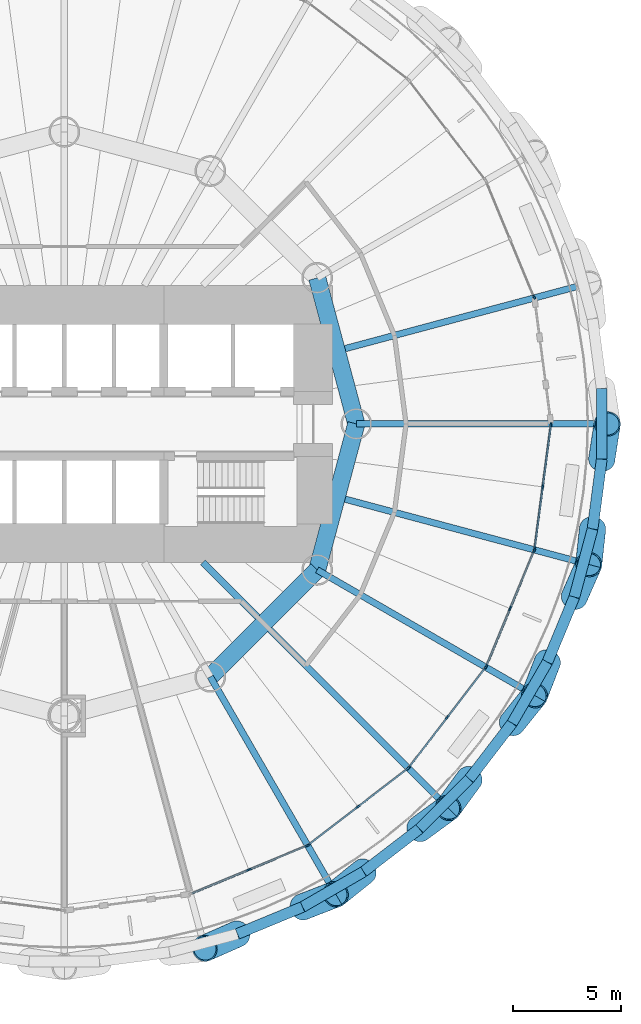
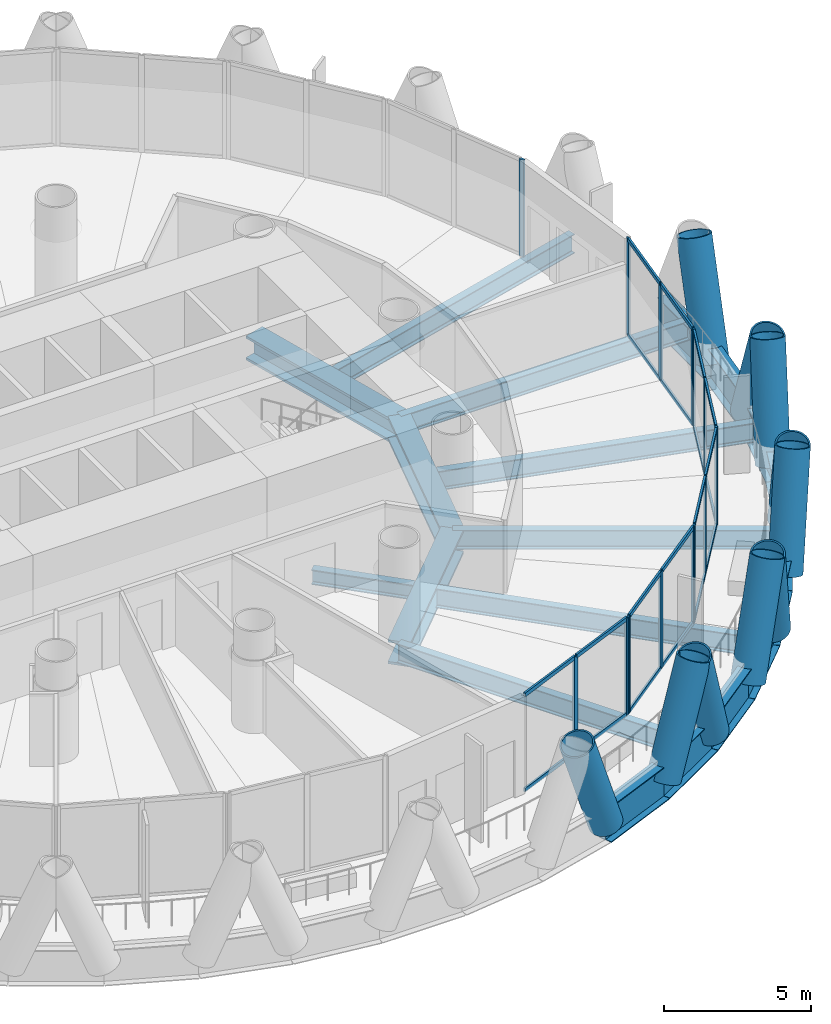
# One storey, part 4 of 16: 45 members, 20 beams, 6 elements without a shape of their own.
"""IFC4 building model written with IfcOpenShell, lengths in metres."""

from ifc_helpers import new_model, si_unit, direction, frame, origin, origin_2d, place, context, subcontext, project, spatial, rectangle, hollow_circle, i_section, extrude, material, material_profile, profile_set, type_object, element, aggregate, save


model = new_model("IFC4")

# Units and contexts
model_context = context("Model", 3, precision=1e-05, world=origin(), true_north=direction((0.0, 1.0)))
body_context = subcontext(model_context, "Body", "Model", "MODEL_VIEW")
ifc_project = project(units=[si_unit("LENGTHUNIT", "METRE"), si_unit("AREAUNIT", "SQUARE_METRE"), si_unit("VOLUMEUNIT", "CUBIC_METRE"), si_unit("PLANEANGLEUNIT", "RADIAN"), si_unit("MASSUNIT", "GRAM", prefix="KILO")], contexts=[model_context])

# Site, building, storey
site_placement = place(None, origin())
site = spatial("IfcSite", under=ifc_project, at=site_placement, CompositionType="ELEMENT")
building_placement = place(site_placement, origin())
building = spatial("IfcBuilding", under=site, at=building_placement, Name="Qaws Media Tower", CompositionType="ELEMENT")
storey_placement = place(building_placement, frame((0.0, 0.0, 55.39990234375)))
storey = spatial("IfcBuildingStorey", under=building, at=storey_placement, Name="L11", CompositionType="ELEMENT", Elevation=55.39990234375)

# Curtain wall, member
ifc_material_1 = material(Name="Aluminium and clear glass", Category="aluminium")
curtain_wall_type = type_object("IfcCurtainWallType", Name="Unitised curtain wall CW-A", PredefinedType="NOTDEFINED", material=ifc_material_1)
curtain_wall_1_placement = place(storey_placement, origin())
curtain_wall_1 = element("IfcCurtainWall", 1, at=curtain_wall_1_placement, inside=storey, type_object=curtain_wall_type, Name="CWA curtain wall L11-02", PredefinedType="NOTDEFINED")
ifc_material_2 = material(Name="Aluminium mullion", Category="aluminium")
ifc_material_profile_1 = material_profile(ifc_material_2, rectangle(XDim=0.080078125, YDim=0.199951171875, at=origin_2d()), Name="80x200")
ifc_profile_set_1 = profile_set([ifc_material_profile_1], Name="Aluminium mullion")
member_type_1 = type_object("IfcMemberType", Name="Curtain wall mullion 80x200", PredefinedType="MULLION", material=ifc_profile_set_1)
member_1_placement = place(storey_placement, frame((81.718017578125, 55.8603515625, 0.0), z_axis=(0.0, 0.0, 1.0), x_axis=(-0.923879550892, -0.38268338799, 0.0)))
member_1 = element("IfcMember", 2, at=member_1_placement, type_object=member_type_1, Name="CWA mullion 1", PredefinedType="MULLION", context=body_context, shape_type="SweptSolid", body=[
    extrude(rectangle(XDim=0.080078125, YDim=0.199951171875, at=origin_2d()), origin(), (0.0, 0.0, 1.0), 4.0400390625),
])
aggregate(curtain_wall_1, [member_1])

# Curtain wall, members
curtain_wall_2_placement = place(storey_placement, origin())
curtain_wall_2 = element("IfcCurtainWall", 3, at=curtain_wall_2_placement, inside=storey, type_object=curtain_wall_type, Name="CWA curtain wall L11-20", PredefinedType="NOTDEFINED")
member_2_placement = place(storey_placement, frame((68.53662109375, 29.390625, 0.0), z_axis=(0.0, 0.0, 1.0), x_axis=(-0.38268338799, 0.923879550892, 0.0)))
member_2 = element("IfcMember", 4, at=member_2_placement, type_object=member_type_1, Name="CWA mullion 2", PredefinedType="MULLION", context=body_context, shape_type="SweptSolid", body=[
    extrude(rectangle(XDim=0.080078125, YDim=0.199951171875, at=origin_2d()), origin(), (0.0, 0.0, 1.0), 4.0400390625),
])
member_3_placement = place(storey_placement, frame((71.213134765625, 30.4990234375, 0.0), z_axis=(0.0, 0.0, 1.0), x_axis=(-0.38268338799, 0.923879550892, 0.0)))
member_3 = element("IfcMember", 5, at=member_3_placement, type_object=member_type_1, Name="CWA mullion 3", PredefinedType="MULLION", context=body_context, shape_type="SweptSolid", body=[
    extrude(rectangle(XDim=0.080078125, YDim=0.199951171875, at=origin_2d()), origin(), (0.0, 0.0, 1.0), 4.0400390625),
])

curtain_wall_3_placement = place(storey_placement, origin())
curtain_wall_3 = element("IfcCurtainWall", 6, at=curtain_wall_3_placement, inside=storey, type_object=curtain_wall_type, Name="CWA curtain wall L11-21", PredefinedType="NOTDEFINED")
member_4_placement = place(storey_placement, frame((71.28173828125, 30.538818359375, 0.0), z_axis=(0.0, 0.0, 1.0), x_axis=(-0.608761393298, 0.793353367693, 0.0)))
member_4 = element("IfcMember", 7, at=member_4_placement, type_object=member_type_1, Name="CWA mullion 1", PredefinedType="MULLION", context=body_context, shape_type="SweptSolid", body=[
    extrude(rectangle(XDim=0.080078125, YDim=0.199951171875, at=origin_2d()), origin(), (0.0, 0.0, 1.0), 4.0400390625),
])
member_5_placement = place(storey_placement, frame((73.579833984375, 32.30224609375, 0.0), z_axis=(0.0, 0.0, 1.0), x_axis=(-0.608761393298, 0.793353367693, 0.0)))
member_5 = element("IfcMember", 8, at=member_5_placement, type_object=member_type_1, Name="CWA mullion 2", PredefinedType="MULLION", context=body_context, shape_type="SweptSolid", body=[
    extrude(rectangle(XDim=0.080078125, YDim=0.199951171875, at=origin_2d()), origin(), (0.0, 0.0, 1.0), 4.0400390625),
])
member_6_placement = place(storey_placement, frame((75.878173828125, 34.065673828125, 0.0), z_axis=(0.0, 0.0, 1.0), x_axis=(-0.608761393298, 0.793353367693, 0.0)))
member_6 = element("IfcMember", 9, at=member_6_placement, type_object=member_type_1, Name="CWA mullion 3", PredefinedType="MULLION", context=body_context, shape_type="SweptSolid", body=[
    extrude(rectangle(XDim=0.080078125, YDim=0.199951171875, at=origin_2d()), origin(), (0.0, 0.0, 1.0), 4.0400390625),
])

curtain_wall_4_placement = place(storey_placement, origin())
curtain_wall_4 = element("IfcCurtainWall", 10, at=curtain_wall_4_placement, inside=storey, type_object=curtain_wall_type, Name="CWA curtain wall L11-22", PredefinedType="NOTDEFINED")
member_7_placement = place(storey_placement, frame((75.934326171875, 34.121826171875, 0.0), z_axis=(0.0, 0.0, 1.0), x_axis=(-0.793353367693, 0.608761393298, 0.0)))
member_7 = element("IfcMember", 11, at=member_7_placement, type_object=member_type_1, Name="CWA mullion 1", PredefinedType="MULLION", context=body_context, shape_type="SweptSolid", body=[
    extrude(rectangle(XDim=0.080078125, YDim=0.199951171875, at=origin_2d()), origin(), (0.0, 0.0, 1.0), 4.0400390625),
])
member_8_placement = place(storey_placement, frame((77.69775390625, 36.420166015625, 0.0), z_axis=(0.0, 0.0, 1.0), x_axis=(-0.793353367693, 0.608761393298, 0.0)))
member_8 = element("IfcMember", 12, at=member_8_placement, type_object=member_type_1, Name="CWA mullion 2", PredefinedType="MULLION", context=body_context, shape_type="SweptSolid", body=[
    extrude(rectangle(XDim=0.080078125, YDim=0.199951171875, at=origin_2d()), origin(), (0.0, 0.0, 1.0), 4.0400390625),
])
member_9_placement = place(storey_placement, frame((79.461181640625, 38.71826171875, 0.0), z_axis=(0.0, 0.0, 1.0), x_axis=(-0.793353367693, 0.608761393298, 0.0)))
member_9 = element("IfcMember", 13, at=member_9_placement, type_object=member_type_1, Name="CWA mullion 3", PredefinedType="MULLION", context=body_context, shape_type="SweptSolid", body=[
    extrude(rectangle(XDim=0.080078125, YDim=0.199951171875, at=origin_2d()), origin(), (0.0, 0.0, 1.0), 4.0400390625),
])

curtain_wall_5_placement = place(storey_placement, origin())
curtain_wall_5 = element("IfcCurtainWall", 14, at=curtain_wall_5_placement, inside=storey, type_object=curtain_wall_type, Name="CWA curtain wall L11-23", PredefinedType="NOTDEFINED")
member_10_placement = place(storey_placement, frame((79.5009765625, 38.786865234375, 0.0), z_axis=(0.0, 0.0, 1.0), x_axis=(-0.923879550892, 0.38268338799, 0.0)))
member_10 = element("IfcMember", 15, at=member_10_placement, type_object=member_type_1, Name="CWA mullion 1", PredefinedType="MULLION", context=body_context, shape_type="SweptSolid", body=[
    extrude(rectangle(XDim=0.080078125, YDim=0.199951171875, at=origin_2d()), origin(), (0.0, 0.0, 1.0), 4.0400390625),
])
member_11_placement = place(storey_placement, frame((80.609375, 41.46337890625, 0.0), z_axis=(0.0, 0.0, 1.0), x_axis=(-0.923879550892, 0.38268338799, 0.0)))
member_11 = element("IfcMember", 16, at=member_11_placement, type_object=member_type_1, Name="CWA mullion 2", PredefinedType="MULLION", context=body_context, shape_type="SweptSolid", body=[
    extrude(rectangle(XDim=0.080078125, YDim=0.199951171875, at=origin_2d()), origin(), (0.0, 0.0, 1.0), 4.0400390625),
])
member_12_placement = place(storey_placement, frame((81.718017578125, 44.1396484375, 0.0), z_axis=(0.0, 0.0, 1.0), x_axis=(-0.923879550892, 0.38268338799, 0.0)))
member_12 = element("IfcMember", 17, at=member_12_placement, type_object=member_type_1, Name="CWA mullion 3", PredefinedType="MULLION", context=body_context, shape_type="SweptSolid", body=[
    extrude(rectangle(XDim=0.080078125, YDim=0.199951171875, at=origin_2d()), origin(), (0.0, 0.0, 1.0), 4.0400390625),
])

curtain_wall_6_placement = place(storey_placement, origin())
curtain_wall_6 = element("IfcCurtainWall", 18, at=curtain_wall_6_placement, inside=storey, type_object=curtain_wall_type, Name="CWA curtain wall L11-24", PredefinedType="NOTDEFINED")
member_13_placement = place(storey_placement, frame((81.738525390625, 44.21630859375, 0.0), z_axis=(0.0, 0.0, 1.0), x_axis=(-0.991444860766, 0.13052619684, 0.0)))
member_13 = element("IfcMember", 19, at=member_13_placement, type_object=member_type_1, Name="CWA mullion 1", PredefinedType="MULLION", context=body_context, shape_type="SweptSolid", body=[
    extrude(rectangle(XDim=0.080078125, YDim=0.199951171875, at=origin_2d()), origin(), (0.0, 0.0, 1.0), 4.0400390625),
])
member_14_placement = place(storey_placement, frame((82.11669921875, 47.08837890625, 0.0), z_axis=(0.0, 0.0, 1.0), x_axis=(-0.991444860766, 0.13052619684, 0.0)))
member_14 = element("IfcMember", 20, at=member_14_placement, type_object=member_type_1, Name="CWA mullion 2", PredefinedType="MULLION", context=body_context, shape_type="SweptSolid", body=[
    extrude(rectangle(XDim=0.080078125, YDim=0.199951171875, at=origin_2d()), origin(), (0.0, 0.0, 1.0), 4.0400390625),
])
member_15_placement = place(storey_placement, frame((82.494873046875, 49.96044921875, 0.0), z_axis=(0.0, 0.0, 1.0), x_axis=(-0.991444860766, 0.13052619684, 0.0)))
member_15 = element("IfcMember", 21, at=member_15_placement, type_object=member_type_1, Name="CWA mullion 3", PredefinedType="MULLION", context=body_context, shape_type="SweptSolid", body=[
    extrude(rectangle(XDim=0.080078125, YDim=0.199951171875, at=origin_2d()), origin(), (0.0, 0.0, 1.0), 4.0400390625),
])

# Member
ifc_material_3 = material(Name="Aluminium transom", Category="aluminium")
ifc_material_profile_2 = material_profile(ifc_material_3, rectangle(XDim=0.080078125, YDim=0.159912109375, at=origin_2d()), Name="80x160")
ifc_profile_set_2 = profile_set([ifc_material_profile_2], Name="Aluminium transom")
member_type_2 = type_object("IfcMemberType", Name="Curtain wall transom 80x160", PredefinedType="USERDEFINED", material=ifc_profile_set_2)
member_16_placement = place(storey_placement, frame((65.8974609375, 28.29736328125, 0.0400390625), z_axis=(0.923882669313, 0.382675859369, 0.0), x_axis=(-0.382675859369, 0.923882669313, 0.0)))
member_16 = element("IfcMember", 22, at=member_16_placement, type_object=member_type_2, Name="CWA transom 1.1", ObjectType="TRANSOM", PredefinedType="USERDEFINED", context=body_context, shape_type="SweptSolid", body=[
    extrude(rectangle(XDim=0.080078125, YDim=0.159912109375, at=origin_2d()), origin(), (0.0, 0.0, 1.0), 2.816650390625),
])

member_17_placement = place(storey_placement, frame((65.8974609375, 28.29736328125, 4.0), z_axis=(0.923882669313, 0.382675859369, 0.0), x_axis=(-0.382675859369, 0.923882669313, 0.0)))
member_17 = element("IfcMember", 23, at=member_17_placement, type_object=member_type_2, Name="CWA transom 1.2", ObjectType="TRANSOM", PredefinedType="USERDEFINED", context=body_context, shape_type="SweptSolid", body=[
    extrude(rectangle(XDim=0.080078125, YDim=0.159912109375, at=origin_2d()), origin(), (0.0, 0.0, 1.0), 2.816650390625),
])

member_18_placement = place(storey_placement, frame((68.57373046875, 29.40576171875, 0.0400390625), z_axis=(0.92385202317, 0.382749839039, 0.0), x_axis=(-0.382749839039, 0.92385202317, 0.0)))
member_18 = element("IfcMember", 24, at=member_18_placement, type_object=member_type_2, Name="CWA transom 2.1", ObjectType="TRANSOM", PredefinedType="USERDEFINED", context=body_context, shape_type="SweptSolid", body=[
    extrude(rectangle(XDim=0.080078125, YDim=0.159912109375, at=origin_2d()), origin(), (0.0, 0.0, 1.0), 2.81689453125),
])

member_19_placement = place(storey_placement, frame((68.57373046875, 29.40576171875, 4.0), z_axis=(0.92385202317, 0.382749839039, 0.0), x_axis=(-0.382749839039, 0.92385202317, 0.0)))
member_19 = element("IfcMember", 25, at=member_19_placement, type_object=member_type_2, Name="CWA transom 2.2", ObjectType="TRANSOM", PredefinedType="USERDEFINED", context=body_context, shape_type="SweptSolid", body=[
    extrude(rectangle(XDim=0.080078125, YDim=0.159912109375, at=origin_2d()), origin(), (0.0, 0.0, 1.0), 2.81689453125),
])

aggregate(curtain_wall_2, [member_2, member_3, member_16, member_17, member_18, member_19])

member_20_placement = place(storey_placement, frame((71.3134765625, 30.563232421875, 0.0400390625), z_axis=(0.793367737451, 0.608742665806, 0.0), x_axis=(-0.608742665806, 0.793367737451, 0.0)))
member_20 = element("IfcMember", 26, at=member_20_placement, type_object=member_type_2, Name="CWA transom 1.1", ObjectType="TRANSOM", PredefinedType="USERDEFINED", context=body_context, shape_type="SweptSolid", body=[
    extrude(rectangle(XDim=0.080078125, YDim=0.159912109375, at=origin_2d()), origin(), (0.0, 0.0, 1.0), 2.816650390625),
])

member_21_placement = place(storey_placement, frame((71.3134765625, 30.563232421875, 4.0), z_axis=(0.793367737451, 0.608742665806, 0.0), x_axis=(-0.608742665806, 0.793367737451, 0.0)))
member_21 = element("IfcMember", 27, at=member_21_placement, type_object=member_type_2, Name="CWA transom 1.2", ObjectType="TRANSOM", PredefinedType="USERDEFINED", context=body_context, shape_type="SweptSolid", body=[
    extrude(rectangle(XDim=0.080078125, YDim=0.159912109375, at=origin_2d()), origin(), (0.0, 0.0, 1.0), 2.816650390625),
])

member_22_placement = place(storey_placement, frame((73.611572265625, 32.32666015625, 0.0400390625), z_axis=(0.793357996817, 0.608755360459, 0.0), x_axis=(-0.608755360459, 0.793357996817, 0.0)))
member_22 = element("IfcMember", 28, at=member_22_placement, type_object=member_type_2, Name="CWA transom 2.1", ObjectType="TRANSOM", PredefinedType="USERDEFINED", context=body_context, shape_type="SweptSolid", body=[
    extrude(rectangle(XDim=0.080078125, YDim=0.159912109375, at=origin_2d()), origin(), (0.0, 0.0, 1.0), 2.81689453125),
])

member_23_placement = place(storey_placement, frame((73.611572265625, 32.32666015625, 4.0), z_axis=(0.793357996817, 0.608755360459, 0.0), x_axis=(-0.608755360459, 0.793357996817, 0.0)))
member_23 = element("IfcMember", 29, at=member_23_placement, type_object=member_type_2, Name="CWA transom 2.2", ObjectType="TRANSOM", PredefinedType="USERDEFINED", context=body_context, shape_type="SweptSolid", body=[
    extrude(rectangle(XDim=0.080078125, YDim=0.159912109375, at=origin_2d()), origin(), (0.0, 0.0, 1.0), 2.81689453125),
])

aggregate(curtain_wall_3, [member_4, member_5, member_6, member_20, member_21, member_22, member_23])

member_24_placement = place(storey_placement, frame((75.95849609375, 34.153564453125, 0.0400390625), z_axis=(0.608755360459, 0.793357996817, 0.0), x_axis=(-0.793357996817, 0.608755360459, 0.0)))
member_24 = element("IfcMember", 30, at=member_24_placement, type_object=member_type_2, Name="CWA transom 1.1", ObjectType="TRANSOM", PredefinedType="USERDEFINED", context=body_context, shape_type="SweptSolid", body=[
    extrude(rectangle(XDim=0.080078125, YDim=0.159912109375, at=origin_2d()), origin(), (0.0, 0.0, 1.0), 2.81689453125),
])

member_25_placement = place(storey_placement, frame((75.95849609375, 34.153564453125, 4.0), z_axis=(0.608755360459, 0.793357996817, 0.0), x_axis=(-0.793357996817, 0.608755360459, 0.0)))
member_25 = element("IfcMember", 31, at=member_25_placement, type_object=member_type_2, Name="CWA transom 1.2", ObjectType="TRANSOM", PredefinedType="USERDEFINED", context=body_context, shape_type="SweptSolid", body=[
    extrude(rectangle(XDim=0.080078125, YDim=0.159912109375, at=origin_2d()), origin(), (0.0, 0.0, 1.0), 2.81689453125),
])

member_26_placement = place(storey_placement, frame((77.72216796875, 36.451904296875, 0.0400390625), z_axis=(0.608742665806, 0.793367737451, 0.0), x_axis=(-0.793367737451, 0.608742665806, 0.0)))
member_26 = element("IfcMember", 32, at=member_26_placement, type_object=member_type_2, Name="CWA transom 2.1", ObjectType="TRANSOM", PredefinedType="USERDEFINED", context=body_context, shape_type="SweptSolid", body=[
    extrude(rectangle(XDim=0.080078125, YDim=0.159912109375, at=origin_2d()), origin(), (0.0, 0.0, 1.0), 2.816650390625),
])

member_27_placement = place(storey_placement, frame((77.72216796875, 36.451904296875, 4.0), z_axis=(0.608742665806, 0.793367737451, 0.0), x_axis=(-0.793367737451, 0.608742665806, 0.0)))
member_27 = element("IfcMember", 33, at=member_27_placement, type_object=member_type_2, Name="CWA transom 2.2", ObjectType="TRANSOM", PredefinedType="USERDEFINED", context=body_context, shape_type="SweptSolid", body=[
    extrude(rectangle(XDim=0.080078125, YDim=0.159912109375, at=origin_2d()), origin(), (0.0, 0.0, 1.0), 2.816650390625),
])

aggregate(curtain_wall_4, [member_7, member_8, member_9, member_24, member_25, member_26, member_27])

member_28_placement = place(storey_placement, frame((79.51611328125, 38.823974609375, 0.0400390625), z_axis=(0.382749839039, 0.92385202317, 0.0), x_axis=(-0.92385202317, 0.382749839039, 0.0)))
member_28 = element("IfcMember", 34, at=member_28_placement, type_object=member_type_2, Name="CWA transom 1.1", ObjectType="TRANSOM", PredefinedType="USERDEFINED", context=body_context, shape_type="SweptSolid", body=[
    extrude(rectangle(XDim=0.080078125, YDim=0.159912109375, at=origin_2d()), origin(), (0.0, 0.0, 1.0), 2.81689453125),
])

member_29_placement = place(storey_placement, frame((79.51611328125, 38.823974609375, 4.0), z_axis=(0.382749839039, 0.92385202317, 0.0), x_axis=(-0.92385202317, 0.382749839039, 0.0)))
member_29 = element("IfcMember", 35, at=member_29_placement, type_object=member_type_2, Name="CWA transom 1.2", ObjectType="TRANSOM", PredefinedType="USERDEFINED", context=body_context, shape_type="SweptSolid", body=[
    extrude(rectangle(XDim=0.080078125, YDim=0.159912109375, at=origin_2d()), origin(), (0.0, 0.0, 1.0), 2.81689453125),
])

member_30_placement = place(storey_placement, frame((80.624755859375, 41.500244140625, 0.0400390625), z_axis=(0.382675859369, 0.923882669313, 0.0), x_axis=(-0.923882669313, 0.382675859369, 0.0)))
member_30 = element("IfcMember", 36, at=member_30_placement, type_object=member_type_2, Name="CWA transom 2.1", ObjectType="TRANSOM", PredefinedType="USERDEFINED", context=body_context, shape_type="SweptSolid", body=[
    extrude(rectangle(XDim=0.080078125, YDim=0.159912109375, at=origin_2d()), origin(), (0.0, 0.0, 1.0), 2.816650390625),
])

member_31_placement = place(storey_placement, frame((80.624755859375, 41.500244140625, 4.0), z_axis=(0.382675859369, 0.923882669313, 0.0), x_axis=(-0.923882669313, 0.382675859369, 0.0)))
member_31 = element("IfcMember", 37, at=member_31_placement, type_object=member_type_2, Name="CWA transom 2.2", ObjectType="TRANSOM", PredefinedType="USERDEFINED", context=body_context, shape_type="SweptSolid", body=[
    extrude(rectangle(XDim=0.080078125, YDim=0.159912109375, at=origin_2d()), origin(), (0.0, 0.0, 1.0), 2.816650390625),
])

aggregate(curtain_wall_5, [member_10, member_11, member_12, member_28, member_29, member_30, member_31])

member_32_placement = place(storey_placement, frame((81.74365234375, 44.255859375, 0.0400390625), z_axis=(0.130528499327, 0.991444557635, 0.0), x_axis=(-0.991444557635, 0.130528499327, 0.0)))
member_32 = element("IfcMember", 38, at=member_32_placement, type_object=member_type_2, Name="CWA transom 1.1", ObjectType="TRANSOM", PredefinedType="USERDEFINED", context=body_context, shape_type="SweptSolid", body=[
    extrude(rectangle(XDim=0.080078125, YDim=0.159912109375, at=origin_2d()), origin(), (0.0, 0.0, 1.0), 2.81689453125),
])

member_33_placement = place(storey_placement, frame((81.74365234375, 44.255859375, 4.0), z_axis=(0.130528499327, 0.991444557635, 0.0), x_axis=(-0.991444557635, 0.130528499327, 0.0)))
member_33 = element("IfcMember", 39, at=member_33_placement, type_object=member_type_2, Name="CWA transom 1.2", ObjectType="TRANSOM", PredefinedType="USERDEFINED", context=body_context, shape_type="SweptSolid", body=[
    extrude(rectangle(XDim=0.080078125, YDim=0.159912109375, at=origin_2d()), origin(), (0.0, 0.0, 1.0), 2.81689453125),
])

member_34_placement = place(storey_placement, frame((82.121826171875, 47.1279296875, 0.0400390625), z_axis=(0.130528499327, 0.991444557635, 0.0), x_axis=(-0.991444557635, 0.130528499327, 0.0)))
member_34 = element("IfcMember", 40, at=member_34_placement, type_object=member_type_2, Name="CWA transom 2.1", ObjectType="TRANSOM", PredefinedType="USERDEFINED", context=body_context, shape_type="SweptSolid", body=[
    extrude(rectangle(XDim=0.080078125, YDim=0.159912109375, at=origin_2d()), origin(), (0.0, 0.0, 1.0), 2.81689453125),
])

member_35_placement = place(storey_placement, frame((82.121826171875, 47.1279296875, 4.0), z_axis=(0.130528499327, 0.991444557635, 0.0), x_axis=(-0.991444557635, 0.130528499327, 0.0)))
member_35 = element("IfcMember", 41, at=member_35_placement, type_object=member_type_2, Name="CWA transom 2.2", ObjectType="TRANSOM", PredefinedType="USERDEFINED", context=body_context, shape_type="SweptSolid", body=[
    extrude(rectangle(XDim=0.080078125, YDim=0.159912109375, at=origin_2d()), origin(), (0.0, 0.0, 1.0), 2.81689453125),
])

aggregate(curtain_wall_6, [member_13, member_14, member_15, member_32, member_33, member_34, member_35])

# Members
ifc_material_4 = material(Name="Steel S460", Category="steel")
ifc_material_profile_3 = material_profile(ifc_material_4, hollow_circle(Radius=0.609619140625, WallThickness=0.06005859375, at=origin_2d()), Name="CHS 1219x60")
ifc_profile_set_3 = profile_set([ifc_material_profile_3], Name="Steel S460")
member_type_3 = type_object("IfcMemberType", Name="Diagrid member CHS 1219x60", PredefinedType="USERDEFINED", material=ifc_profile_set_3)
for number, where, z_axis, x_axis, name in (
    (42, (71.012939453125, 27.66796875, -0.909912109375), (0.340689388047, 0.131816923329, 0.930889380967), (-0.360844493393, 0.932625997701, 0.0), "DG1 diagrid L11 A20"),
    (43, (68.00390625, 26.42138671875, -0.909912109375), (-0.334142371102, -0.147617876658, 0.930890884221), (0.404103321219, -0.914713346235, 0.0), "DG1 diagrid L11 B20"),
    (44, (76.417724609375, 31.279296875, -0.909912109375), (0.294913593488, 0.215530429883, 0.93089881629), (-0.590046302891, 0.807369407672, 0.0), "DG1 diagrid L11 A21"),
    (45, (73.833740234375, 29.29638671875, -0.909912109375), (-0.28452125642, -0.229110498228, 0.930889915214), (0.627184793014, -0.778870486931, 0.0), "DG1 diagrid L11 B21"),
    (46, (80.70361328125, 36.166259765625, -0.909912109375), (0.229110498228, 0.28452125642, 0.930889915214), (-0.778870486931, 0.627184793014, 0.0), "DG1 diagrid L11 A22"),
    (47, (78.720703125, 33.582275390625, -0.909912109375), (-0.215530429883, -0.294913593488, 0.93089881629), (0.807369407672, -0.590046302891, 0.0), "DG1 diagrid L11 B22"),
    (48, (83.57861328125, 41.99609375, -0.909912109375), (0.147617876658, 0.334142371102, 0.930890884221), (-0.914713346235, 0.404103321219, 0.0), "DG1 diagrid L11 A23"),
    (49, (82.33203125, 38.987060546875, -0.909912109375), (-0.131816923329, -0.340689388047, 0.930889380967), (0.932625997701, -0.360844493393, 0.0), "DG1 diagrid L11 B23"),
    (50, (84.8466796875, 48.37158203125, -0.909912109375), (0.056168900823, 0.360931183514, 0.930899422788), (-0.988106466928, 0.153771291255, 0.0), "DG1 diagrid L11 A24"),
    (51, (84.421630859375, 45.142333984375, -0.909912109375), (-0.039231063086, -0.363198476456, 0.930885487259), (0.994216882769, -0.107390828368, 0.0), "DG1 diagrid L11 B24"),
):
    element("IfcMember", number, at=place(storey_placement, frame(where, z_axis=z_axis, x_axis=x_axis)), inside=storey, type_object=member_type_3, Name=name, ObjectType="DIAGRID", PredefinedType="USERDEFINED", context=body_context, shape_type="SweptSolid", body=[
        extrude(hollow_circle(Radius=0.609619140625, WallThickness=0.06005859375, at=origin_2d()), origin(), (0.0, 0.0, 1.0), 4.51171875),
    ])

# Beams
ifc_material_5 = material(Name="Steel S460", Category="steel")
ifc_material_profile_4 = material_profile(ifc_material_5, i_section(OverallWidth=0.5, OverallDepth=1.5, WebThickness=0.02001953125, FlangeThickness=0.0400390625, at=origin_2d()), Name="PG 1500x500")
ifc_profile_set_4 = profile_set([ifc_material_profile_4], Name="Steel S460")
beam_type_1 = type_object("IfcBeamType", Name="Edge ring beam PG 1500x500", PredefinedType="BEAM", material=ifc_profile_set_4)
for number, where, z_axis, x_axis, name in (
    (52, (68.00390625, 26.42138671875, -0.909912109375), (0.923857856805, 0.382735757959, 0.0), (-0.382735757959, 0.923857856805, 0.0), "RB4 edge ring beam L11-39"),
    (53, (71.012939453125, 27.66796875, -0.909912109375), (0.8660482855, 0.499960365612, 0.0), (-0.499960365612, 0.8660482855, 0.0), "RB4 edge ring beam L11-40"),
    (54, (73.833740234375, 29.29638671875, -0.909912109375), (0.793331215298, 0.608790261777, 0.0), (-0.608790261777, 0.793331215298, 0.0), "RB4 edge ring beam L11-41"),
):
    element("IfcBeam", number, at=place(storey_placement, frame(where, z_axis=z_axis, x_axis=x_axis)), inside=storey, type_object=beam_type_1, Name=name, PredefinedType="BEAM", context=body_context, shape_type="SweptSolid", body=[
        extrude(i_section(OverallWidth=0.5, OverallDepth=1.5, WebThickness=0.02001953125, FlangeThickness=0.0400390625, at=origin_2d()), origin(), (0.0, 0.0, 1.0), 3.257080078125),
    ])
beam_1_placement = place(storey_placement, frame((76.417724609375, 31.279296875, -0.909912109375), z_axis=(0.707106781187, 0.707106781187, 0.0), x_axis=(-0.707106781187, 0.707106781187, 0.0)))
element("IfcBeam", 55, at=beam_1_placement, inside=storey, type_object=beam_type_1, Name="RB4 edge ring beam L11-42", PredefinedType="BEAM", context=body_context, shape_type="SweptSolid", body=[
    extrude(i_section(OverallWidth=0.5, OverallDepth=1.5, WebThickness=0.02001953125, FlangeThickness=0.0400390625, at=origin_2d()), origin(), (0.0, 0.0, 1.0), 3.2568359375),
])
for number, where, z_axis, x_axis, name in (
    (56, (78.720703125, 33.582275390625, -0.909912109375), (0.608790261777, 0.793331215298, 0.0), (-0.793331215298, 0.608790261777, 0.0), "RB4 edge ring beam L11-43"),
    (57, (80.70361328125, 36.166259765625, -0.909912109375), (0.499960365612, 0.8660482855, 0.0), (-0.8660482855, 0.499960365612, 0.0), "RB4 edge ring beam L11-44"),
    (58, (82.33203125, 38.987060546875, -0.909912109375), (0.382735757959, 0.923857856805, 0.0), (-0.923857856805, 0.382735757959, 0.0), "RB4 edge ring beam L11-45"),
):
    element("IfcBeam", number, at=place(storey_placement, frame(where, z_axis=z_axis, x_axis=x_axis)), inside=storey, type_object=beam_type_1, Name=name, PredefinedType="BEAM", context=body_context, shape_type="SweptSolid", body=[
        extrude(i_section(OverallWidth=0.5, OverallDepth=1.5, WebThickness=0.02001953125, FlangeThickness=0.0400390625, at=origin_2d()), origin(), (0.0, 0.0, 1.0), 3.257080078125),
    ])
beam_2_placement = place(storey_placement, frame((83.57861328125, 41.99609375, -0.909912109375), z_axis=(0.258814762224, 0.965926973873, 0.0), x_axis=(-0.965926973873, 0.258814762224, 0.0)))
element("IfcBeam", 59, at=beam_2_placement, inside=storey, type_object=beam_type_1, Name="RB4 edge ring beam L11-46", PredefinedType="BEAM", context=body_context, shape_type="SweptSolid", body=[
    extrude(i_section(OverallWidth=0.5, OverallDepth=1.5, WebThickness=0.02001953125, FlangeThickness=0.0400390625, at=origin_2d()), origin(), (0.0, 0.0, 1.0), 3.25732421875),
])
beam_3_placement = place(storey_placement, frame((84.421630859375, 45.142333984375, -0.909912109375), z_axis=(0.130499108697, 0.991448426611, 0.0), x_axis=(-0.991448426611, 0.130499108697, 0.0)))
element("IfcBeam", 60, at=beam_3_placement, inside=storey, type_object=beam_type_1, Name="RB4 edge ring beam L11-47", PredefinedType="BEAM", context=body_context, shape_type="SweptSolid", body=[
    extrude(i_section(OverallWidth=0.5, OverallDepth=1.5, WebThickness=0.02001953125, FlangeThickness=0.0400390625, at=origin_2d()), origin(), (0.0, 0.0, 1.0), 3.257080078125),
])
beam_4_placement = place(storey_placement, frame((84.8466796875, 48.37158203125, -0.909912109375), z_axis=(0.0, 1.0, 0.0), x_axis=(-1.0, 0.0, 0.0)))
element("IfcBeam", 61, at=beam_4_placement, inside=storey, type_object=beam_type_1, Name="RB4 edge ring beam L11-48", PredefinedType="BEAM", context=body_context, shape_type="SweptSolid", body=[
    extrude(i_section(OverallWidth=0.5, OverallDepth=1.5, WebThickness=0.02001953125, FlangeThickness=0.0400390625, at=origin_2d()), origin(), (0.0, 0.0, 1.0), 3.2568359375),
])
ifc_material_6 = material(Name="Steel S460", Category="steel")
ifc_material_profile_5 = material_profile(ifc_material_6, i_section(OverallWidth=0.800048828125, OverallDepth=1.0, WebThickness=0.0400390625, FlangeThickness=0.10009765625, at=origin_2d()), Name="PG 1000x800")
ifc_profile_set_5 = profile_set([ifc_material_profile_5], Name="Steel S460")
beam_type_2 = type_object("IfcBeamType", Name="Inner ring girder PG 1000x800", PredefinedType="BEAM", material=ifc_profile_set_5)
beam_5_placement = place(storey_placement, frame((73.5, 50.0, -0.659912109375), z_axis=(-0.258810593767, 0.965928090778, 0.0), x_axis=(-0.965928090778, -0.258810593767, 0.0)))
element("IfcBeam", 62, at=beam_5_placement, inside=storey, type_object=beam_type_2, Name="B3 inner ring beam L11 I01-I02", PredefinedType="BEAM", context=body_context, shape_type="SweptSolid", body=[
    extrude(i_section(OverallWidth=0.800048828125, OverallDepth=1.0, WebThickness=0.0400390625, FlangeThickness=0.10009765625, at=origin_2d()), origin(), (0.0, 0.0, 1.0), 6.988037109375),
])
beam_6_placement = place(storey_placement, frame((66.75, 38.30859375, -0.659912109375), z_axis=(0.707106781187, 0.707106781187, 0.0), x_axis=(-0.707106781187, 0.707106781187, 0.0)))
element("IfcBeam", 63, at=beam_6_placement, inside=storey, type_object=beam_type_2, Name="B3 inner ring beam L11 I11-I12", PredefinedType="BEAM", context=body_context, shape_type="SweptSolid", body=[
    extrude(i_section(OverallWidth=0.800048828125, OverallDepth=1.0, WebThickness=0.0400390625, FlangeThickness=0.10009765625, at=origin_2d()), origin(), (0.0, 0.0, 1.0), 6.98828125),
])
beam_7_placement = place(storey_placement, frame((71.69140625, 43.25, -0.659912109375), z_axis=(0.258810593767, 0.965928090778, 0.0), x_axis=(-0.965928090778, 0.258810593767, 0.0)))
element("IfcBeam", 64, at=beam_7_placement, inside=storey, type_object=beam_type_2, Name="B3 inner ring beam L11 I12-I01", PredefinedType="BEAM", context=body_context, shape_type="SweptSolid", body=[
    extrude(i_section(OverallWidth=0.800048828125, OverallDepth=1.0, WebThickness=0.0400390625, FlangeThickness=0.10009765625, at=origin_2d()), origin(), (0.0, 0.0, 1.0), 6.988037109375),
])
ifc_material_7 = material(Name="Steel S355", Category="steel")
ifc_material_profile_6 = material_profile(ifc_material_7, i_section(OverallWidth=0.304931640625, OverallDepth=0.6201171875, WebThickness=0.02099609375, FlangeThickness=0.0400390625, FilletRadius=0.027099609375, at=origin_2d()), Name="HE 600 M")
ifc_profile_set_6 = profile_set([ifc_material_profile_6], Name="Steel S355")
beam_type_3 = type_object("IfcBeamType", Name="Radial beam HE 600 M, core side", PredefinedType="BEAM", material=ifc_profile_set_6)
beam_8_placement = place(storey_placement, frame((66.39990234375, 43.60009765625, -0.469970703125), z_axis=(0.707106781187, -0.707106781187, 0.0), x_axis=(0.707106781187, 0.707106781187, 0.0)))
element("IfcBeam", 65, at=beam_8_placement, inside=storey, type_object=beam_type_3, Name="B2 radial beam L11 22", PredefinedType="BEAM", context=body_context, shape_type="SweptSolid", body=[
    extrude(i_section(OverallWidth=0.304931640625, OverallDepth=0.6201171875, WebThickness=0.02099609375, FlangeThickness=0.0400390625, FilletRadius=0.027099609375, at=origin_2d()), origin(), (0.0, 0.0, 1.0), 3.589111328125),
])
ifc_material_8 = material(Name="Steel S355", Category="steel")
ifc_material_profile_7 = material_profile(ifc_material_8, i_section(OverallWidth=0.300048828125, OverallDepth=0.800048828125, WebThickness=0.017578125, FlangeThickness=0.032958984375, FilletRadius=0.030029296875, at=origin_2d()), Name="HE 800 B")
ifc_profile_set_7 = profile_set([ifc_material_profile_7], Name="Steel S355")
beam_type_4 = type_object("IfcBeamType", Name="Radial beam HE 800 B", PredefinedType="BEAM", material=ifc_profile_set_7)
beam_9_placement = place(storey_placement, frame((73.5, 50.0, -0.559814453125), z_axis=(1.0, 0.0, 0.0), x_axis=(0.0, 1.0, 0.0)))
element("IfcBeam", 66, at=beam_9_placement, inside=storey, type_object=beam_type_4, Name="B1 radial beam L11 01", PredefinedType="BEAM", context=body_context, shape_type="SweptSolid", body=[
    extrude(i_section(OverallWidth=0.300048828125, OverallDepth=0.800048828125, WebThickness=0.017578125, FlangeThickness=0.032958984375, FilletRadius=0.030029296875, at=origin_2d()), origin(), (0.0, 0.0, 1.0), 11.3466796875),
])
beam_10_placement = place(storey_placement, frame((72.98193359375, 53.478515625, -0.559814453125), z_axis=(0.965923402633, 0.258828090141, 0.0), x_axis=(-0.258828090141, 0.965923402633, 0.0)))
element("IfcBeam", 67, at=beam_10_placement, inside=storey, type_object=beam_type_4, Name="B1 radial beam L11 02", PredefinedType="BEAM", context=body_context, shape_type="SweptSolid", body=[
    extrude(i_section(OverallWidth=0.300048828125, OverallDepth=0.800048828125, WebThickness=0.017578125, FlangeThickness=0.032958984375, FilletRadius=0.030029296875, at=origin_2d()), origin(), (0.0, 0.0, 1.0), 11.40673828125),
])
beam_11_placement = place(storey_placement, frame((66.75, 38.30859375, -0.559814453125), z_axis=(0.500003695727, -0.866023270045, 0.0), x_axis=(0.866023270045, 0.500003695727, 0.0)))
element("IfcBeam", 68, at=beam_11_placement, inside=storey, type_object=beam_type_4, Name="B1 radial beam L11 21", PredefinedType="BEAM", context=body_context, shape_type="SweptSolid", body=[
    extrude(i_section(OverallWidth=0.300048828125, OverallDepth=0.800048828125, WebThickness=0.017578125, FlangeThickness=0.032958984375, FilletRadius=0.030029296875, at=origin_2d()), origin(), (0.0, 0.0, 1.0), 11.3466796875),
])
beam_12_placement = place(storey_placement, frame((69.50341796875, 40.49658203125, -0.559814453125), z_axis=(0.707106781187, -0.707106781187, 0.0), x_axis=(0.707106781187, 0.707106781187, 0.0)))
element("IfcBeam", 69, at=beam_12_placement, inside=storey, type_object=beam_type_4, Name="B1 radial beam L11 22", PredefinedType="BEAM", context=body_context, shape_type="SweptSolid", body=[
    extrude(i_section(OverallWidth=0.300048828125, OverallDepth=0.800048828125, WebThickness=0.017578125, FlangeThickness=0.032958984375, FilletRadius=0.030029296875, at=origin_2d()), origin(), (0.0, 0.0, 1.0), 11.406982421875),
])
beam_13_placement = place(storey_placement, frame((71.69140625, 43.25, -0.559814453125), z_axis=(0.866023270045, -0.500003695727, 0.0), x_axis=(0.500003695727, 0.866023270045, 0.0)))
element("IfcBeam", 70, at=beam_13_placement, inside=storey, type_object=beam_type_4, Name="B1 radial beam L11 23", PredefinedType="BEAM", context=body_context, shape_type="SweptSolid", body=[
    extrude(i_section(OverallWidth=0.300048828125, OverallDepth=0.800048828125, WebThickness=0.017578125, FlangeThickness=0.032958984375, FilletRadius=0.030029296875, at=origin_2d()), origin(), (0.0, 0.0, 1.0), 11.3466796875),
])
beam_14_placement = place(storey_placement, frame((72.98193359375, 46.521484375, -0.559814453125), z_axis=(0.965923402633, -0.258828090141, 0.0), x_axis=(0.258828090141, 0.965923402633, 0.0)))
element("IfcBeam", 71, at=beam_14_placement, inside=storey, type_object=beam_type_4, Name="B1 radial beam L11 24", PredefinedType="BEAM", context=body_context, shape_type="SweptSolid", body=[
    extrude(i_section(OverallWidth=0.300048828125, OverallDepth=0.800048828125, WebThickness=0.017578125, FlangeThickness=0.032958984375, FilletRadius=0.030029296875, at=origin_2d()), origin(), (0.0, 0.0, 1.0), 11.40673828125),
])

save(model, "model.ifc")
